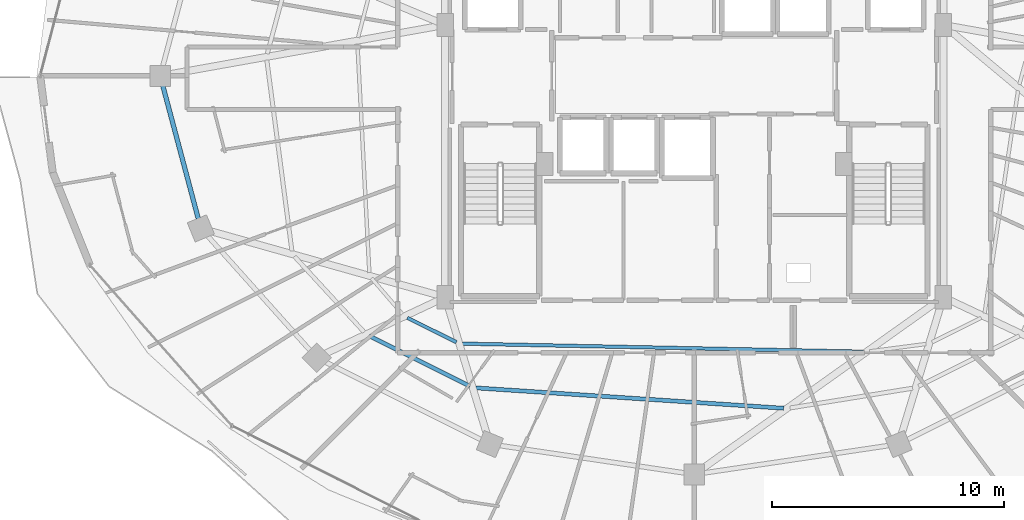
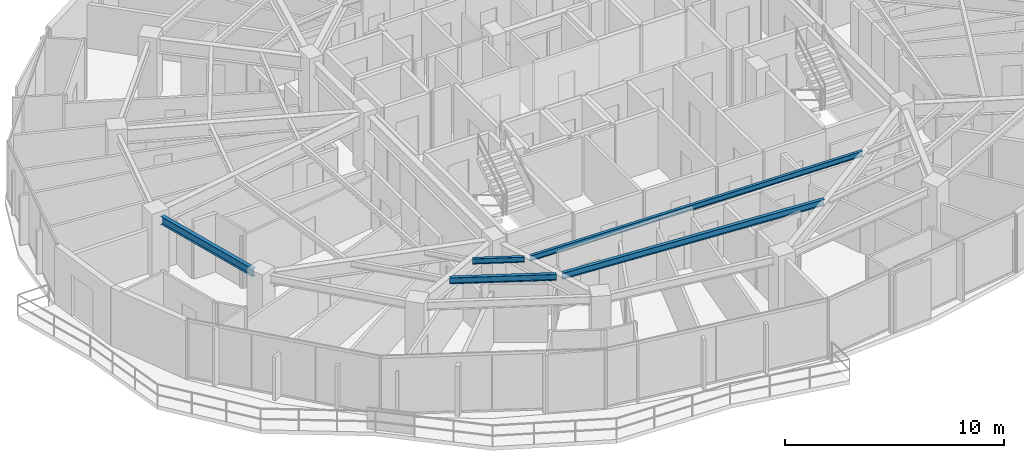
# One storey, part 6 of 34: 5 beams.
"""IFC4 building model written with IfcOpenShell, lengths in metres."""

from ifc_helpers import new_model, si_unit, direction, frame, origin, origin_2d, place, context, subcontext, project, spatial, i_section, extrude, material, material_profile, profile_set, type_object, element, save


model = new_model("IFC4")

# Units and contexts
model_context = context("Model", 3, precision=1e-05, world=origin(), true_north=direction((0.0, 1.0)))
body_context = subcontext(model_context, "Body", "Model", "MODEL_VIEW")
ifc_project = project(units=[si_unit("LENGTHUNIT", "METRE"), si_unit("AREAUNIT", "SQUARE_METRE"), si_unit("VOLUMEUNIT", "CUBIC_METRE"), si_unit("PLANEANGLEUNIT", "RADIAN"), si_unit("MASSUNIT", "GRAM", prefix="KILO")], contexts=[model_context])

# Site, building, storey
site_placement = place(None, origin())
site = spatial("IfcSite", under=ifc_project, at=site_placement, CompositionType="ELEMENT")
building_placement = place(site_placement, origin())
building = spatial("IfcBuilding", under=site, at=building_placement, Name="Vorneva Point Tower", CompositionType="ELEMENT")
storey_placement = place(building_placement, frame((0.0, 0.0, 186.10009765625)))
storey = spatial("IfcBuildingStorey", under=building, at=storey_placement, Name="L50", CompositionType="ELEMENT", Elevation=186.10009765625)

# Beams
ifc_material = material(Name="Steel S355", Category="steel")
ifc_material_profile_1 = material_profile(ifc_material, i_section(OverallWidth=0.14892578125, OverallDepth=0.298095703125, WebThickness=0.005615234375, FlangeThickness=0.008056640625, at=origin_2d()), Name="30B1")
ifc_profile_set_1 = profile_set([ifc_material_profile_1], Name="Steel S355")
beam_type_1 = type_object("IfcBeamType", Name="BM-JST-30B1", PredefinedType="JOIST", material=ifc_profile_set_1)
beam_1_placement = place(storey_placement, frame((25.612548828125, 15.559814453125, 3.0908203125), z_axis=(0.895946483514, -0.4441620185, 0.0), x_axis=(0.4441620185, 0.895946483514, 0.0)))
element("IfcBeam", 1, at=beam_1_placement, inside=storey, type_object=beam_type_1, Name="L50 Secondary Floor Beam 2.11", PredefinedType="JOIST", context=body_context, shape_type="SweptSolid", body=[
    extrude(i_section(OverallWidth=0.14892578125, OverallDepth=0.298095703125, WebThickness=0.005615234375, FlangeThickness=0.008056640625, at=origin_2d()), origin(), (0.0, 0.0, 1.0), 2.3701171875),
])
beam_2_placement = place(storey_placement, frame((27.997802734375, 14.443115234375, 3.0908203125), z_axis=(0.999798766182, -0.020060586778, 0.0), x_axis=(0.020060586778, 0.999798766182, 0.0)))
element("IfcBeam", 2, at=beam_2_placement, inside=storey, type_object=beam_type_1, Name="L50 Secondary Floor Beam 2.12", PredefinedType="JOIST", context=body_context, shape_type="SweptSolid", body=[
    extrude(i_section(OverallWidth=0.14892578125, OverallDepth=0.298095703125, WebThickness=0.005615234375, FlangeThickness=0.008056640625, at=origin_2d()), origin(), (0.0, 0.0, 1.0), 17.305908203125),
])
ifc_material_profile_2 = material_profile(ifc_material, i_section(OverallWidth=0.174072265625, OverallDepth=0.345947265625, WebThickness=0.006103515625, FlangeThickness=0.009033203125, at=origin_2d()), Name="35B1")
ifc_profile_set_2 = profile_set([ifc_material_profile_2], Name="Steel S355")
beam_type_2 = type_object("IfcBeamType", Name="BM-SEC-35B1", PredefinedType="BEAM", material=ifc_profile_set_2)
beam_3_placement = place(storey_placement, frame((23.965087890625, 14.78369140625, 3.06689453125), z_axis=(0.89410580889, -0.44785578316, 0.0), x_axis=(0.44785578316, 0.89410580889, 0.0)))
element("IfcBeam", 3, at=beam_3_placement, inside=storey, type_object=beam_type_2, Name="L50 Secondary Floor Beam 1.11", PredefinedType="BEAM", context=body_context, shape_type="SweptSolid", body=[
    extrude(i_section(OverallWidth=0.174072265625, OverallDepth=0.345947265625, WebThickness=0.006103515625, FlangeThickness=0.009033203125, at=origin_2d()), origin(), (0.0, 0.0, 1.0), 4.865234375),
])
beam_4_placement = place(storey_placement, frame((28.576416015625, 12.533935546875, 3.06689453125), z_axis=(0.997817414317, -0.066033383117, 0.0), x_axis=(0.066033383117, 0.997817414317, 0.0)))
element("IfcBeam", 4, at=beam_4_placement, inside=storey, type_object=beam_type_2, Name="L50 Secondary Floor Beam 1.12", PredefinedType="BEAM", context=body_context, shape_type="SweptSolid", body=[
    extrude(i_section(OverallWidth=0.174072265625, OverallDepth=0.345947265625, WebThickness=0.006103515625, FlangeThickness=0.009033203125, at=origin_2d()), origin(), (0.0, 0.0, 1.0), 13.313720703125),
])
ifc_material_profile_3 = material_profile(ifc_material, i_section(OverallWidth=0.198974609375, OverallDepth=0.446044921875, WebThickness=0.008056640625, FlangeThickness=0.011962890625, at=origin_2d()), Name="45B1")
ifc_profile_set_3 = profile_set([ifc_material_profile_3], Name="Steel S355")
beam_type_3 = type_object("IfcBeamType", Name="BM-SPN-45B1", PredefinedType="SPANDREL", material=ifc_profile_set_3)
beam_5_placement = place(storey_placement, frame((15.06201171875, 25.57958984375, 3.016845703125), z_axis=(0.257578258003, -0.966257440336, 0.0), x_axis=(0.966257440336, 0.257578258003, 0.0)))
element("IfcBeam", 5, at=beam_5_placement, inside=storey, type_object=beam_type_3, Name="L50 Perimeter Spandrel Ring Beam 09", PredefinedType="SPANDREL", context=body_context, shape_type="SweptSolid", body=[
    extrude(i_section(OverallWidth=0.198974609375, OverallDepth=0.446044921875, WebThickness=0.008056640625, FlangeThickness=0.011962890625, at=origin_2d()), origin(), (0.0, 0.0, 1.0), 5.94189453125),
])

save(model, "model.ifc")
